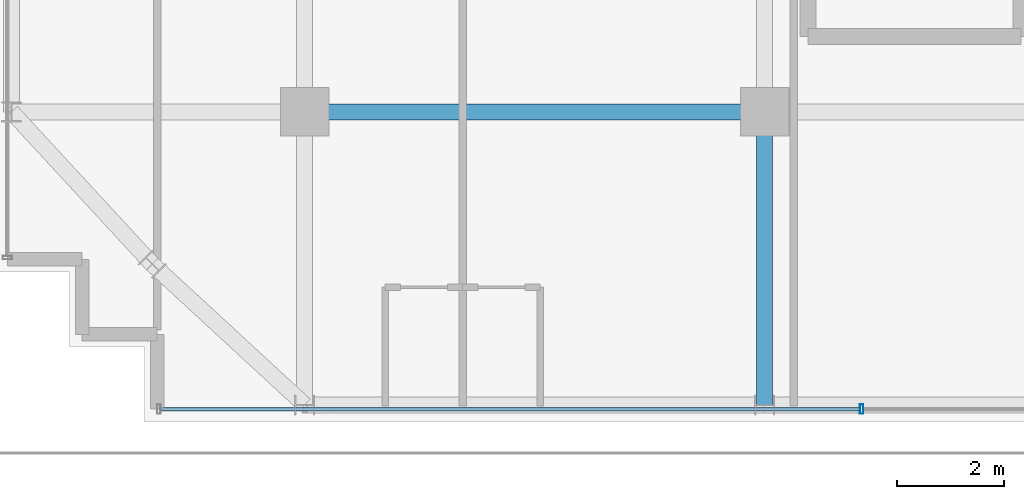
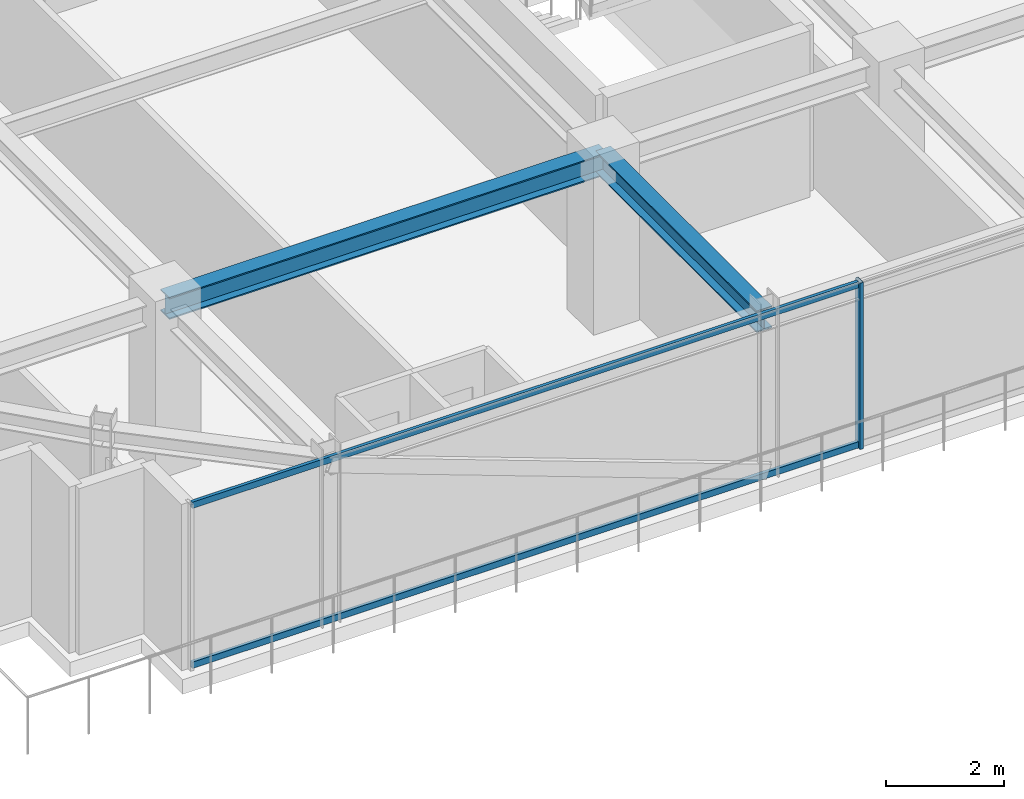
# One storey, part 5 of 32: 3 members, 2 beams, 1 element without a shape of its own.
"""IFC4 building model written with IfcOpenShell, lengths in metres."""

import ifcopenshell
import ifcopenshell.guid

model = None  # the IFC model being written
_history = None  # IfcOwnerHistory: only IFC2X3 demands one
_inside = {}  # id of a spatial element -> (the spatial element, [elements in it])
_under = {}  # id of a project, library or spatial element -> (it, [spatial elements below it])
_declared = {}  # id of a project -> (the project, [libraries it declares])
_typed = {}  # id of a type object -> (the type object, [elements of that type])
_made_of = {}  # id of a material, layer set ... -> (it, [elements and type objects made of it])


def new_model(schema):
    """Start an empty IFC model of exactly this schema.

    Asked for "IFC4X3", IfcOpenShell would pick the latest addendum, in which some entities
    have other attributes; the version numbers below select the first issue.
    IFC2X3 requires an IfcOwnerHistory on every rooted entity: one is made here for all.
    """
    global model, _history
    if schema == "IFC4X3":
        model = ifcopenshell.file(schema_version=(4, 3, 0, 0))
    else:
        model = ifcopenshell.file(schema=schema)
    _inside.clear()
    _under.clear()
    _declared.clear()
    _typed.clear()
    _made_of.clear()
    _history = None
    if model.schema == "IFC2X3":
        org = make("IfcOrganization", Name="unknown")
        user = make(
            "IfcPersonAndOrganization",
            ThePerson=make("IfcPerson", FamilyName="unknown"),
            TheOrganization=org,
        )
        app = make(
            "IfcApplication",
            ApplicationDeveloper=org,
            Version="unknown",
            ApplicationFullName="unknown",
            ApplicationIdentifier="unknown",
        )
        _history = make(
            "IfcOwnerHistory",
            OwningUser=user,
            OwningApplication=app,
            ChangeAction="ADDED",
            CreationDate=0,
        )
    return model


def make(cls, **values):
    """One entity of the class cls with the attributes given. An attribute that is None is left unset."""
    return model.create_entity(
        cls, **{name: value for name, value in values.items() if value is not None}
    )


def rooted(cls, **values):
    """An entity with a GlobalId (a new one), such as an element, a storey or a relation."""
    return make(cls, GlobalId=ifcopenshell.guid.new(), OwnerHistory=_history, **values)


def si_unit(unit_type, name, prefix=None):
    """IfcSIUnit, for example si_unit("LENGTHUNIT", "METRE", prefix="MILLI")."""
    return make("IfcSIUnit", UnitType=unit_type, Prefix=prefix, Name=name)


def assignment(units):
    """IfcUnitAssignment: the units of a project."""
    return None if units is None else make("IfcUnitAssignment", Units=units)


def point(xyz):
    """IfcCartesianPoint."""
    return None if xyz is None else make("IfcCartesianPoint", Coordinates=xyz)


def direction(xyz):
    """IfcDirection."""
    return None if xyz is None else make("IfcDirection", DirectionRatios=xyz)


def frame(location, z_axis=None, x_axis=None):
    """IfcAxis2Placement3D, a coordinate frame: its origin and axes. An axis left out is left unset."""
    return make(
        "IfcAxis2Placement3D",
        Location=point(location),
        Axis=direction(z_axis),
        RefDirection=direction(x_axis),
    )


def frame_2d(location, x_axis=None):
    """IfcAxis2Placement2D, a coordinate frame in the plane: its origin and x axis."""
    return make(
        "IfcAxis2Placement2D", Location=point(location), RefDirection=direction(x_axis)
    )


def origin():
    """The frame at (0, 0, 0) with its axes left unset."""
    return frame((0.0, 0.0, 0.0))


def origin_2d():
    """The frame at (0, 0) in the plane with its x axis left unset."""
    return frame_2d((0.0, 0.0))


def place(relative_to, where):
    """IfcLocalPlacement: puts the frame where relative to a parent placement (None: the world)."""
    return make(
        "IfcLocalPlacement", PlacementRelTo=relative_to, RelativePlacement=where
    )


def context(
    kind, dimensions, precision=None, world=None, true_north=None, identifier=None
):
    """IfcGeometricRepresentationContext, for example the 3D "Model" context."""
    return make(
        "IfcGeometricRepresentationContext",
        ContextIdentifier=identifier,
        ContextType=kind,
        CoordinateSpaceDimension=dimensions,
        Precision=precision,
        WorldCoordinateSystem=world,
        TrueNorth=true_north,
    )


def subcontext(parent, identifier, kind, view, scale=None):
    """IfcGeometricRepresentationSubContext, for example "Body" below "Model"."""
    return make(
        "IfcGeometricRepresentationSubContext",
        ContextIdentifier=identifier,
        ContextType=kind,
        ParentContext=parent,
        TargetScale=scale,
        TargetView=view,
    )


def project(units=None, contexts=None):
    """IfcProject with its units and contexts."""
    return rooted(
        "IfcProject",
        Name="project",
        RepresentationContexts=contexts,
        UnitsInContext=assignment(units),
    )


def spatial(cls, under=None, at=None, **own):
    """A site, building, storey or space (cls), placed at a placement, below another one or the project."""
    s = rooted(cls, ObjectPlacement=at, **own)
    if under is not None:
        _under.setdefault(under.id(), (under, []))[1].append(s)
    return s


def profile(cls, at=None, kind="AREA", **sizes):
    """A parametric profile (cls). Its sizes go by their IFC names, for example OverallWidth=200.0."""
    return make(cls, ProfileType=kind, Position=at, **sizes)


def hollow_rectangle(**sizes):
    """IfcRectangleHollowProfileDef."""
    return profile("IfcRectangleHollowProfileDef", **sizes)


def i_section(**sizes):
    """IfcIShapeProfileDef."""
    return profile("IfcIShapeProfileDef", **sizes)


def extrude(swept, where, along, depth):
    """IfcExtrudedAreaSolid: the profile swept, set in the frame where, extruded along a direction by depth."""
    return make(
        "IfcExtrudedAreaSolid",
        SweptArea=swept,
        Position=where,
        ExtrudedDirection=direction(along),
        Depth=depth,
    )


def shape(context_of_items, identifier, shape_type, items):
    """IfcShapeRepresentation: the items that make up one representation, for example the "Body"."""
    return make(
        "IfcShapeRepresentation",
        ContextOfItems=context_of_items,
        RepresentationIdentifier=identifier,
        RepresentationType=shape_type,
        Items=items,
    )


def source(mapping_origin, context_of_items, identifier, shape_type, items):
    """IfcRepresentationMap: a shape defined once, which mapped items show again and again."""
    return make(
        "IfcRepresentationMap",
        MappingOrigin=mapping_origin,
        MappedRepresentation=shape(context_of_items, identifier, shape_type, items),
    )


def transform(
    local_origin,
    x_axis=None,
    y_axis=None,
    z_axis=None,
    scale=None,
    scale2=None,
    scale3=None,
    uniform=True,
):
    """IfcCartesianTransformationOperator3D, or its non-uniform kind. x_axis, y_axis, z_axis: its Axis1, 2, 3."""
    if uniform:
        return make(
            "IfcCartesianTransformationOperator3D",
            Axis1=direction(x_axis),
            Axis2=direction(y_axis),
            LocalOrigin=point(local_origin),
            Scale=scale,
            Axis3=direction(z_axis),
        )
    return make(
        "IfcCartesianTransformationOperator3DnonUniform",
        Axis1=direction(x_axis),
        Axis2=direction(y_axis),
        LocalOrigin=point(local_origin),
        Scale=scale,
        Axis3=direction(z_axis),
        Scale2=scale2,
        Scale3=scale3,
    )


def mapped(mapping_source, mapping_target):
    """IfcMappedItem: shows the shape of a source again, moved by a transform."""
    return make(
        "IfcMappedItem", MappingSource=mapping_source, MappingTarget=mapping_target
    )


def material(Name=None, Category=None):
    """IfcMaterial."""
    return make("IfcMaterial", Name=Name, Category=Category)


def material_profile(
    of_material, cross_section, Name=None, Category=None, Priority=None
):
    """IfcMaterialProfile: a cross section and its material."""
    return make(
        "IfcMaterialProfile",
        Name=Name,
        Material=of_material,
        Profile=cross_section,
        Priority=Priority,
        Category=Category,
    )


def profile_set(profiles, Name=None, composite=None):
    """IfcMaterialProfileSet."""
    return make(
        "IfcMaterialProfileSet",
        Name=Name,
        MaterialProfiles=profiles,
        CompositeProfile=composite,
    )


def made_of(thing, what):
    """Note that an element or type object is made of a material, layer set ...; save() writes the relation."""
    if what is not None:
        _made_of.setdefault(what.id(), (what, []))[1].append(thing)
    return thing


def type_object(cls, material=None, **own):
    """A type object (cls), such as IfcWallType, which elements share."""
    return made_of(rooted(cls, **own), material)


def element(
    cls,
    number,
    at=None,
    inside=None,
    cuts=None,
    type_object=None,
    material=None,
    context=None,
    identifier="Body",
    shape_type=None,
    held_by="IfcProductDefinitionShape",
    body=None,
    shapes=None,
    **own,
):
    """One element of the class cls, such as IfcWall. Its Tag is "e" and its number.

    at: its placement. inside: the storey or other place that contains it. cuts: it is an
    opening in that element (IfcRelVoidsElement). A single representation is given by context,
    identifier, shape_type and body (its items); several are given by shapes. held_by: the class
    of the entity that holds the representations. save() writes the other relations.
    """
    e = rooted(cls, Tag="e%d" % number, ObjectPlacement=at, **own)
    if body is not None:
        shapes = [shape(context, identifier, shape_type, body)]
    if shapes is not None:
        e.Representation = make(held_by, Representations=shapes)
    if inside is not None:
        _inside.setdefault(inside.id(), (inside, []))[1].append(e)
    if cuts is not None:
        rooted(
            "IfcRelVoidsElement", RelatingBuildingElement=cuts, RelatedOpeningElement=e
        )
    if type_object is not None:
        _typed.setdefault(type_object.id(), (type_object, []))[1].append(e)
    return made_of(e, material)


def aggregate(whole, parts):
    """IfcRelAggregates: a whole, such as a stair, and the parts it consists of."""
    return rooted("IfcRelAggregates", RelatingObject=whole, RelatedObjects=parts)


def save(model, path):
    """Write the relations noted so far, then the file.

    IfcRelAggregates (storeys below a building ...), IfcRelContainedInSpatialStructure (elements
    in a storey), IfcRelDefinesByType, IfcRelAssociatesMaterial and IfcRelDeclares: one each for
    every whole, place, type object, material and project.
    """
    for whole, parts in _under.values():
        aggregate(whole, parts)
    for where, things in _inside.values():
        rooted(
            "IfcRelContainedInSpatialStructure",
            RelatedElements=things,
            RelatingStructure=where,
        )
    for kind, things in _typed.values():
        rooted("IfcRelDefinesByType", RelatedObjects=things, RelatingType=kind)
    for what, things in _made_of.values():
        rooted("IfcRelAssociatesMaterial", RelatedObjects=things, RelatingMaterial=what)
    for by, libraries in _declared.values():
        rooted("IfcRelDeclares", RelatingContext=by, RelatedDefinitions=libraries)
    model.write(path)


model = new_model("IFC4")

# Units and contexts
model_context = context("Model", 3, precision=1e-05, world=origin(), true_north=direction((0.0, 1.0)))
body_context = subcontext(model_context, "Body", "Model", "MODEL_VIEW")
ifc_project = project(units=[si_unit("LENGTHUNIT", "METRE"), si_unit("AREAUNIT", "SQUARE_METRE"), si_unit("VOLUMEUNIT", "CUBIC_METRE"), si_unit("PLANEANGLEUNIT", "RADIAN"), si_unit("MASSUNIT", "GRAM", prefix="KILO")], contexts=[model_context])

# Site, building, storey
site_placement = place(None, origin())
site = spatial("IfcSite", under=ifc_project, at=site_placement, CompositionType="ELEMENT")
building_placement = place(site_placement, origin())
building = spatial("IfcBuilding", under=site, at=building_placement, Name="Nahalor Promenade Grand Hotel", CompositionType="ELEMENT")
storey_placement = place(building_placement, frame((0.0, 0.0, 266.300048828125)))
storey = spatial("IfcBuildingStorey", under=building, at=storey_placement, Name="L68", CompositionType="ELEMENT", Elevation=266.300048828125)

# Beams
ifc_material_1 = material(Name="Steel S355JR", Category="steel")
ifc_material_profile_1 = material_profile(ifc_material_1, i_section(OverallWidth=0.3, OverallDepth=0.45, WebThickness=0.014, FlangeThickness=0.026, at=origin_2d()), Name="HEB 450")
ifc_profile_set_1 = profile_set([ifc_material_profile_1], Name="Steel S355JR")
beam_type = type_object("IfcBeamType", Name="Beam-Girder-HEB450", PredefinedType="BEAM", material=ifc_profile_set_1)
shared_shape_1 = source(origin(), body_context, "Body", "SweptSolid", [
    extrude(i_section(OverallWidth=0.3, OverallDepth=0.45, WebThickness=0.014, FlangeThickness=0.026, at=origin_2d()), origin(), (0.0, 0.0, 1.0), 8.60009765625),
])
beam_1_placement = place(storey_placement, frame((-17.0, -17.0, 3.224853515625), z_axis=(1.0, 0.0, 0.0), x_axis=(0.0, 1.0, 0.0)))
element("IfcBeam", 1, at=beam_1_placement, inside=storey, type_object=beam_type, Name="BM-L68-GX-0-1", PredefinedType="BEAM", context=body_context, shape_type="MappedRepresentation", body=[
    mapped(shared_shape_1, transform((0.0, 0.0, 0.0), scale=1.0)),
])
shared_shape_2 = source(origin(), body_context, "Body", "SweptSolid", [
    extrude(i_section(OverallWidth=0.3, OverallDepth=0.45, WebThickness=0.014, FlangeThickness=0.026, at=origin_2d()), origin(), (0.0, 0.0, 1.0), 5.47998046875),
])
beam_2_placement = place(storey_placement, frame((-8.39990234375, -22.47998046875, 3.224853515625), z_axis=(0.0, 1.0, 0.0), x_axis=(-1.0, 0.0, 0.0)))
element("IfcBeam", 2, at=beam_2_placement, inside=storey, type_object=beam_type, Name="BM-L68-GY-1-0", PredefinedType="BEAM", context=body_context, shape_type="MappedRepresentation", body=[
    mapped(shared_shape_2, transform((0.0, 0.0, 0.0), scale=1.0)),
])

# Curtain wall, members
ifc_material_2 = material(Name="Anodised Bronze Aluminium EN AW-6063 T6", Category="aluminium")
curtain_wall_type = type_object("IfcCurtainWallType", Name="CW2 Typical Hotel Flush Bronze Unitised Curtain Wall", PredefinedType="USERDEFINED", material=ifc_material_2)
curtain_wall_placement = place(storey_placement, origin())
curtain_wall = element("IfcCurtainWall", 3, at=curtain_wall_placement, inside=storey, type_object=curtain_wall_type, Name="L68 Curtain Wall CW-L68-S-1", ObjectType="UNITISED_CURTAIN_WALL", PredefinedType="USERDEFINED")
ifc_material_profile_2 = material_profile(ifc_material_2, hollow_rectangle(XDim=0.065, YDim=0.13, WallThickness=0.004, at=origin_2d()), Name="CWT 65x130x4")
ifc_profile_set_2 = profile_set([ifc_material_profile_2], Name="Anodised Bronze Aluminium EN AW-6063 T6")
member_type_1 = type_object("IfcMemberType", Name="CWT2 Typical Bronze Transom 65x130", PredefinedType="USERDEFINED", material=ifc_profile_set_2)
shared_shape_3 = source(origin(), body_context, "Body", "SweptSolid", [
    extrude(hollow_rectangle(XDim=0.065, YDim=0.13, WallThickness=0.004, at=origin_2d()), origin(), (0.0, 0.0, 1.0), 13.075927734375),
])
member_1_placement = place(storey_placement, frame((-19.695068359375, -22.56005859375, 0.06494140625), z_axis=(1.0, 0.0, 0.0), x_axis=(0.0, 1.0, 0.0)))
member_1 = element("IfcMember", 4, at=member_1_placement, type_object=member_type_1, Name="CW-L68-S-1 Transom 0-0", ObjectType="TRANSOM", PredefinedType="USERDEFINED", context=body_context, shape_type="MappedRepresentation", body=[
    mapped(shared_shape_3, transform((0.0, 0.0, 0.0), scale=1.0)),
])
member_2_placement = place(storey_placement, frame((-19.695068359375, -22.56005859375, 3.385009765625), z_axis=(1.0, 0.0, 0.0), x_axis=(0.0, 1.0, 0.0)))
member_2 = element("IfcMember", 5, at=member_2_placement, type_object=member_type_1, Name="CW-L68-S-1 Transom 0-1", ObjectType="TRANSOM", PredefinedType="USERDEFINED", context=body_context, shape_type="MappedRepresentation", body=[
    mapped(shared_shape_3, transform((0.0, 0.0, 0.0), scale=1.0)),
])
ifc_material_profile_3 = material_profile(ifc_material_2, hollow_rectangle(XDim=0.065, YDim=0.18, WallThickness=0.004, at=origin_2d()), Name="CWM 65x180x4")
ifc_profile_set_3 = profile_set([ifc_material_profile_3], Name="Anodised Bronze Aluminium EN AW-6063 T6")
member_type_2 = type_object("IfcMemberType", Name="CWM2 Typical Bronze Mullion 65x180", PredefinedType="MULLION", material=ifc_profile_set_3)
shared_shape_4 = source(origin(), body_context, "Body", "SweptSolid", [
    extrude(hollow_rectangle(XDim=0.065, YDim=0.18, WallThickness=0.004, at=origin_2d()), origin(), (0.0, 0.0, 1.0), 3.449951171875),
])
member_3_placement = place(storey_placement, frame((-6.586669921875, -22.56005859375, 0.0), z_axis=(0.0, 0.0, 1.0), x_axis=(1.0, 0.0, 0.0)))
member_3 = element("IfcMember", 6, at=member_3_placement, type_object=member_type_2, Name="CW-L68-S-1 Mullion 1", PredefinedType="MULLION", context=body_context, shape_type="MappedRepresentation", body=[
    mapped(shared_shape_4, transform((0.0, 0.0, 0.0), scale=1.0)),
])
aggregate(curtain_wall, [member_3, member_1, member_2])

save(model, "model.ifc")
